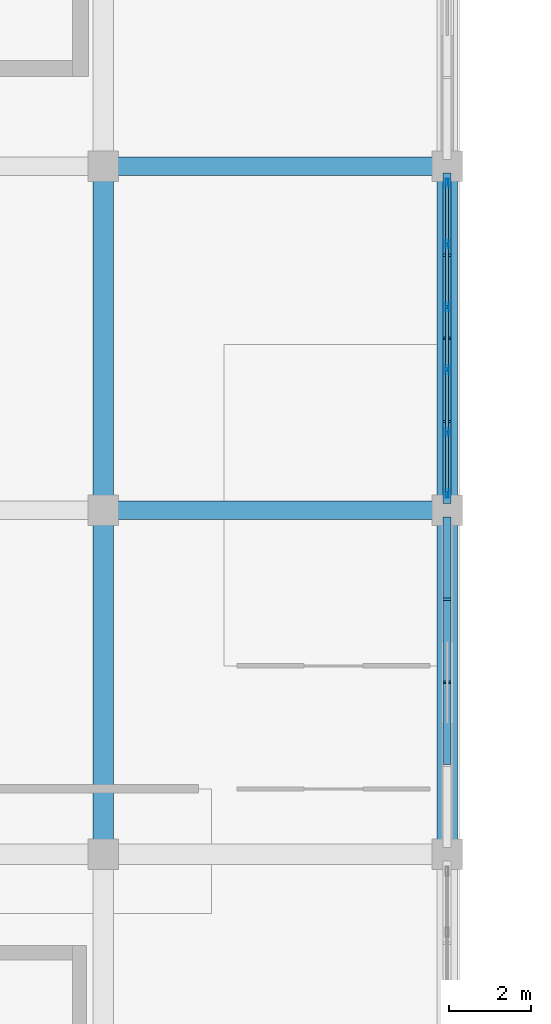
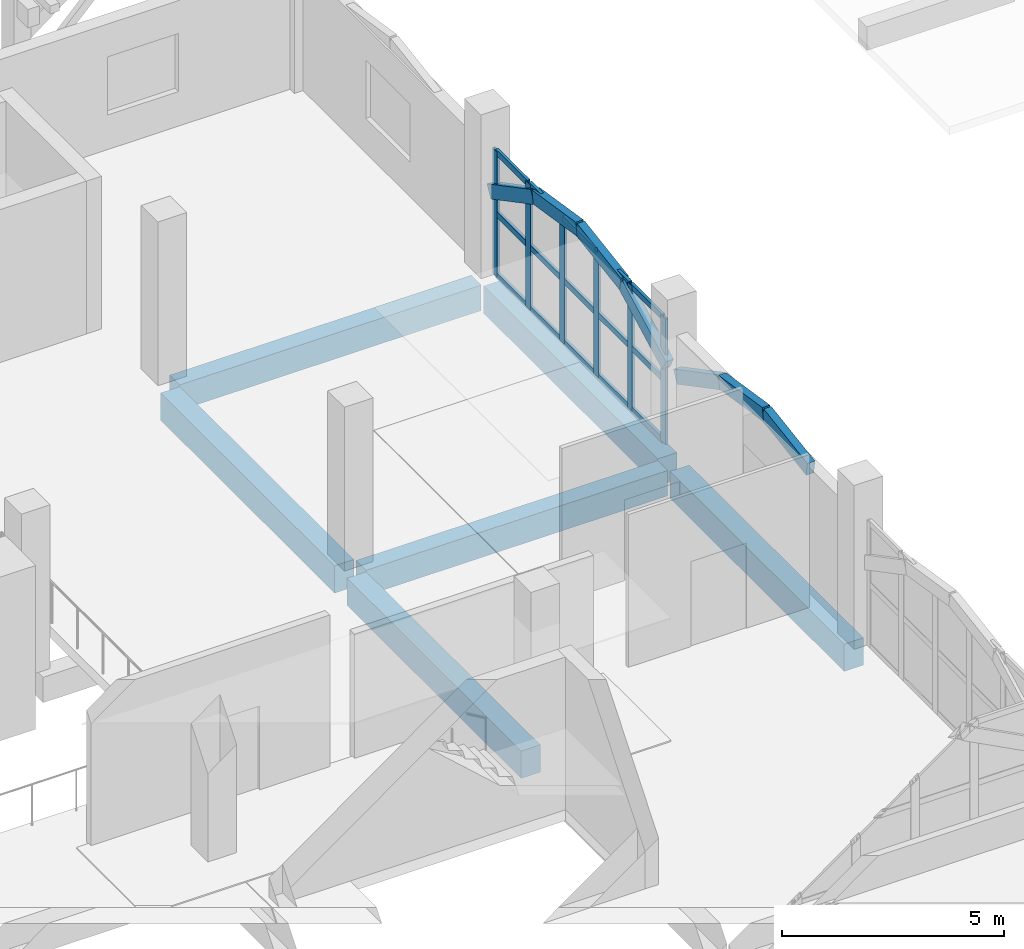
# One storey, part 14 of 30: 28 members, 6 beams, 1 element without a shape of its own.
"""IFC4 building model written with IfcOpenShell, lengths in metres."""

from ifc_helpers import new_model, si_unit, direction, frame, origin, origin_2d, place, context, subcontext, project, spatial, rectangle, hollow_rectangle, extrude, material, layer, layer_set, material_profile, profile_set, type_object, element, aggregate, save


model = new_model("IFC4")

# Units and contexts
model_context = context("Model", 3, precision=1e-05, world=origin(), true_north=direction((0.0, 1.0)))
body_context = subcontext(model_context, "Body", "Model", "MODEL_VIEW")
ifc_project = project(units=[si_unit("LENGTHUNIT", "METRE"), si_unit("AREAUNIT", "SQUARE_METRE"), si_unit("VOLUMEUNIT", "CUBIC_METRE"), si_unit("PLANEANGLEUNIT", "RADIAN"), si_unit("MASSUNIT", "GRAM", prefix="KILO")], contexts=[model_context])

# Site, building, storey
site_placement = place(None, origin())
site = spatial("IfcSite", under=ifc_project, at=site_placement, CompositionType="ELEMENT")
building_placement = place(site_placement, origin())
building = spatial("IfcBuilding", under=site, at=building_placement, Name="Xazarin Passage Department Store", CompositionType="ELEMENT")
storey_placement = place(building_placement, frame((0.0, 0.0, 23.39990234375)))
storey = spatial("IfcBuildingStorey", under=building, at=storey_placement, Name="L05", CompositionType="ELEMENT", Elevation=23.39990234375)

# Curtain wall, members
ifc_material_1 = material(Name="Bronze anodised aluminium", Category="aluminium")
ifc_layer = layer(ifc_material_1, 0.199951171875)
ifc_layer_set = layer_set([ifc_layer], Name="Bronze anodised aluminium")
curtain_wall_type = type_object("IfcCurtainWallType", Name="ARC-CW-VIT2", PredefinedType="NOTDEFINED", material=ifc_layer_set)
curtain_wall_placement = place(storey_placement, origin())
curtain_wall = element("IfcCurtainWall", 1, at=curtain_wall_placement, inside=storey, type_object=curtain_wall_type, Name="L05 V1 Curtain Wall 084", PredefinedType="NOTDEFINED")
ifc_material_profile_1 = material_profile(ifc_material_1, hollow_rectangle(XDim=0.074951171875, YDim=0.219970703125, WallThickness=0.0048828125, at=origin_2d()), Name="ALU 75x220")
ifc_profile_set_1 = profile_set([ifc_material_profile_1], Name="Bronze anodised aluminium")
member_type_1 = type_object("IfcMemberType", Name="ARC-CWM-75x220", PredefinedType="MULLION", material=ifc_profile_set_1)
member_1_placement = place(storey_placement, frame((42.0, 93.612548828125, 0.0), z_axis=(0.0, 0.0, 1.0), x_axis=(-1.0, 0.0, 0.0)))
member_1 = element("IfcMember", 2, at=member_1_placement, type_object=member_type_1, Name="CW2 mullion 1", PredefinedType="MULLION", context=body_context, shape_type="SweptSolid", body=[
    extrude(hollow_rectangle(XDim=0.074951171875, YDim=0.219970703125, WallThickness=0.0048828125, at=origin_2d()), origin(), (0.0, 0.0, 1.0), 3.4501953125),
])
member_2_placement = place(storey_placement, frame((42.0, 95.10498046875, 0.0), z_axis=(0.0, 0.0, 1.0), x_axis=(-1.0, 0.0, 0.0)))
member_2 = element("IfcMember", 3, at=member_2_placement, type_object=member_type_1, Name="CW2 mullion 2", PredefinedType="MULLION", context=body_context, shape_type="SweptSolid", body=[
    extrude(hollow_rectangle(XDim=0.074951171875, YDim=0.219970703125, WallThickness=0.0048828125, at=origin_2d()), origin(), (0.0, 0.0, 1.0), 3.4501953125),
])
member_3_placement = place(storey_placement, frame((42.0, 96.635009765625, 0.0), z_axis=(0.0, 0.0, 1.0), x_axis=(-1.0, 0.0, 0.0)))
member_3 = element("IfcMember", 4, at=member_3_placement, type_object=member_type_1, Name="CW2 mullion 3", PredefinedType="MULLION", context=body_context, shape_type="SweptSolid", body=[
    extrude(hollow_rectangle(XDim=0.074951171875, YDim=0.219970703125, WallThickness=0.0048828125, at=origin_2d()), origin(), (0.0, 0.0, 1.0), 3.4501953125),
])
member_4_placement = place(storey_placement, frame((42.0, 98.1650390625, 0.0), z_axis=(0.0, 0.0, 1.0), x_axis=(-1.0, 0.0, 0.0)))
member_4 = element("IfcMember", 5, at=member_4_placement, type_object=member_type_1, Name="CW2 mullion 4", PredefinedType="MULLION", context=body_context, shape_type="SweptSolid", body=[
    extrude(hollow_rectangle(XDim=0.074951171875, YDim=0.219970703125, WallThickness=0.0048828125, at=origin_2d()), origin(), (0.0, 0.0, 1.0), 3.4501953125),
])
member_5_placement = place(storey_placement, frame((42.0, 99.695068359375, 0.0), z_axis=(0.0, 0.0, 1.0), x_axis=(-1.0, 0.0, 0.0)))
member_5 = element("IfcMember", 6, at=member_5_placement, type_object=member_type_1, Name="CW2 mullion 5", PredefinedType="MULLION", context=body_context, shape_type="SweptSolid", body=[
    extrude(hollow_rectangle(XDim=0.074951171875, YDim=0.219970703125, WallThickness=0.0048828125, at=origin_2d()), origin(), (0.0, 0.0, 1.0), 3.4501953125),
])
member_6_placement = place(storey_placement, frame((42.0, 101.1875, 0.0), z_axis=(0.0, 0.0, 1.0), x_axis=(-1.0, 0.0, 0.0)))
member_6 = element("IfcMember", 7, at=member_6_placement, type_object=member_type_1, Name="CW2 mullion 6", PredefinedType="MULLION", context=body_context, shape_type="SweptSolid", body=[
    extrude(hollow_rectangle(XDim=0.074951171875, YDim=0.219970703125, WallThickness=0.0048828125, at=origin_2d()), origin(), (0.0, 0.0, 1.0), 3.4501953125),
])
ifc_material_profile_2 = material_profile(ifc_material_1, hollow_rectangle(XDim=0.074951171875, YDim=0.159912109375, WallThickness=0.00439453125, at=origin_2d()), Name="ALU 75x160")
ifc_profile_set_2 = profile_set([ifc_material_profile_2], Name="Bronze anodised aluminium")
member_type_2 = type_object("IfcMemberType", Name="ARC-CWT-75x160", PredefinedType="USERDEFINED", material=ifc_profile_set_2)
member_7_placement = place(storey_placement, frame((42.0, 93.64990234375, 0.03759765625), z_axis=(0.0, 1.0, 0.0), x_axis=(-1.0, 0.0, 0.0)))
member_7 = element("IfcMember", 8, at=member_7_placement, type_object=member_type_2, Name="CW2 transom 1.1", ObjectType="TRANSOM", PredefinedType="USERDEFINED", context=body_context, shape_type="SweptSolid", body=[
    extrude(hollow_rectangle(XDim=0.074951171875, YDim=0.159912109375, WallThickness=0.00439453125, at=origin_2d()), origin(), (0.0, 0.0, 1.0), 1.41748046875),
])
member_8_placement = place(storey_placement, frame((42.0, 93.64990234375, 1.72509765625), z_axis=(0.0, 1.0, 0.0), x_axis=(-1.0, 0.0, 0.0)))
member_8 = element("IfcMember", 9, at=member_8_placement, type_object=member_type_2, Name="CW2 transom 1.2", ObjectType="TRANSOM", PredefinedType="USERDEFINED", context=body_context, shape_type="SweptSolid", body=[
    extrude(hollow_rectangle(XDim=0.074951171875, YDim=0.159912109375, WallThickness=0.00439453125, at=origin_2d()), origin(), (0.0, 0.0, 1.0), 1.41748046875),
])
member_9_placement = place(storey_placement, frame((42.0, 93.64990234375, 3.41259765625), z_axis=(0.0, 1.0, 0.0), x_axis=(-1.0, 0.0, 0.0)))
member_9 = element("IfcMember", 10, at=member_9_placement, type_object=member_type_2, Name="CW2 transom 1.3", ObjectType="TRANSOM", PredefinedType="USERDEFINED", context=body_context, shape_type="SweptSolid", body=[
    extrude(hollow_rectangle(XDim=0.074951171875, YDim=0.159912109375, WallThickness=0.00439453125, at=origin_2d()), origin(), (0.0, 0.0, 1.0), 1.41748046875),
])
member_10_placement = place(storey_placement, frame((42.0, 95.142578125, 0.03759765625), z_axis=(0.0, 1.0, 0.0), x_axis=(-1.0, 0.0, 0.0)))
member_10 = element("IfcMember", 11, at=member_10_placement, type_object=member_type_2, Name="CW2 transom 2.1", ObjectType="TRANSOM", PredefinedType="USERDEFINED", context=body_context, shape_type="SweptSolid", body=[
    extrude(hollow_rectangle(XDim=0.074951171875, YDim=0.159912109375, WallThickness=0.00439453125, at=origin_2d()), origin(), (0.0, 0.0, 1.0), 1.454833984375),
])
member_11_placement = place(storey_placement, frame((42.0, 95.142578125, 1.72509765625), z_axis=(0.0, 1.0, 0.0), x_axis=(-1.0, 0.0, 0.0)))
member_11 = element("IfcMember", 12, at=member_11_placement, type_object=member_type_2, Name="CW2 transom 2.2", ObjectType="TRANSOM", PredefinedType="USERDEFINED", context=body_context, shape_type="SweptSolid", body=[
    extrude(hollow_rectangle(XDim=0.074951171875, YDim=0.159912109375, WallThickness=0.00439453125, at=origin_2d()), origin(), (0.0, 0.0, 1.0), 1.454833984375),
])
member_12_placement = place(storey_placement, frame((42.0, 95.142578125, 3.41259765625), z_axis=(0.0, 1.0, 0.0), x_axis=(-1.0, 0.0, 0.0)))
member_12 = element("IfcMember", 13, at=member_12_placement, type_object=member_type_2, Name="CW2 transom 2.3", ObjectType="TRANSOM", PredefinedType="USERDEFINED", context=body_context, shape_type="SweptSolid", body=[
    extrude(hollow_rectangle(XDim=0.074951171875, YDim=0.159912109375, WallThickness=0.00439453125, at=origin_2d()), origin(), (0.0, 0.0, 1.0), 1.454833984375),
])
member_13_placement = place(storey_placement, frame((42.0, 96.672607421875, 0.03759765625), z_axis=(0.0, 1.0, 0.0), x_axis=(-1.0, 0.0, 0.0)))
member_13 = element("IfcMember", 14, at=member_13_placement, type_object=member_type_2, Name="CW2 transom 3.1", ObjectType="TRANSOM", PredefinedType="USERDEFINED", context=body_context, shape_type="SweptSolid", body=[
    extrude(hollow_rectangle(XDim=0.074951171875, YDim=0.159912109375, WallThickness=0.00439453125, at=origin_2d()), origin(), (0.0, 0.0, 1.0), 1.454833984375),
])
member_14_placement = place(storey_placement, frame((42.0, 96.672607421875, 1.72509765625), z_axis=(0.0, 1.0, 0.0), x_axis=(-1.0, 0.0, 0.0)))
member_14 = element("IfcMember", 15, at=member_14_placement, type_object=member_type_2, Name="CW2 transom 3.2", ObjectType="TRANSOM", PredefinedType="USERDEFINED", context=body_context, shape_type="SweptSolid", body=[
    extrude(hollow_rectangle(XDim=0.074951171875, YDim=0.159912109375, WallThickness=0.00439453125, at=origin_2d()), origin(), (0.0, 0.0, 1.0), 1.454833984375),
])
member_15_placement = place(storey_placement, frame((42.0, 96.672607421875, 3.41259765625), z_axis=(0.0, 1.0, 0.0), x_axis=(-1.0, 0.0, 0.0)))
member_15 = element("IfcMember", 16, at=member_15_placement, type_object=member_type_2, Name="CW2 transom 3.3", ObjectType="TRANSOM", PredefinedType="USERDEFINED", context=body_context, shape_type="SweptSolid", body=[
    extrude(hollow_rectangle(XDim=0.074951171875, YDim=0.159912109375, WallThickness=0.00439453125, at=origin_2d()), origin(), (0.0, 0.0, 1.0), 1.454833984375),
])
member_16_placement = place(storey_placement, frame((42.0, 98.202392578125, 0.03759765625), z_axis=(0.0, 1.0, 0.0), x_axis=(-1.0, 0.0, 0.0)))
member_16 = element("IfcMember", 17, at=member_16_placement, type_object=member_type_2, Name="CW2 transom 4.1", ObjectType="TRANSOM", PredefinedType="USERDEFINED", context=body_context, shape_type="SweptSolid", body=[
    extrude(hollow_rectangle(XDim=0.074951171875, YDim=0.159912109375, WallThickness=0.00439453125, at=origin_2d()), origin(), (0.0, 0.0, 1.0), 1.455078125),
])
member_17_placement = place(storey_placement, frame((42.0, 98.202392578125, 1.72509765625), z_axis=(0.0, 1.0, 0.0), x_axis=(-1.0, 0.0, 0.0)))
member_17 = element("IfcMember", 18, at=member_17_placement, type_object=member_type_2, Name="CW2 transom 4.2", ObjectType="TRANSOM", PredefinedType="USERDEFINED", context=body_context, shape_type="SweptSolid", body=[
    extrude(hollow_rectangle(XDim=0.074951171875, YDim=0.159912109375, WallThickness=0.00439453125, at=origin_2d()), origin(), (0.0, 0.0, 1.0), 1.455078125),
])
member_18_placement = place(storey_placement, frame((42.0, 98.202392578125, 3.41259765625), z_axis=(0.0, 1.0, 0.0), x_axis=(-1.0, 0.0, 0.0)))
member_18 = element("IfcMember", 19, at=member_18_placement, type_object=member_type_2, Name="CW2 transom 4.3", ObjectType="TRANSOM", PredefinedType="USERDEFINED", context=body_context, shape_type="SweptSolid", body=[
    extrude(hollow_rectangle(XDim=0.074951171875, YDim=0.159912109375, WallThickness=0.00439453125, at=origin_2d()), origin(), (0.0, 0.0, 1.0), 1.455078125),
])
member_19_placement = place(storey_placement, frame((42.0, 99.732421875, 0.03759765625), z_axis=(0.0, 1.0, 0.0), x_axis=(-1.0, 0.0, 0.0)))
member_19 = element("IfcMember", 20, at=member_19_placement, type_object=member_type_2, Name="CW2 transom 5.1", ObjectType="TRANSOM", PredefinedType="USERDEFINED", context=body_context, shape_type="SweptSolid", body=[
    extrude(hollow_rectangle(XDim=0.074951171875, YDim=0.159912109375, WallThickness=0.00439453125, at=origin_2d()), origin(), (0.0, 0.0, 1.0), 1.41748046875),
])
member_20_placement = place(storey_placement, frame((42.0, 99.732421875, 1.72509765625), z_axis=(0.0, 1.0, 0.0), x_axis=(-1.0, 0.0, 0.0)))
member_20 = element("IfcMember", 21, at=member_20_placement, type_object=member_type_2, Name="CW2 transom 5.2", ObjectType="TRANSOM", PredefinedType="USERDEFINED", context=body_context, shape_type="SweptSolid", body=[
    extrude(hollow_rectangle(XDim=0.074951171875, YDim=0.159912109375, WallThickness=0.00439453125, at=origin_2d()), origin(), (0.0, 0.0, 1.0), 1.41748046875),
])
member_21_placement = place(storey_placement, frame((42.0, 99.732421875, 3.41259765625), z_axis=(0.0, 1.0, 0.0), x_axis=(-1.0, 0.0, 0.0)))
member_21 = element("IfcMember", 22, at=member_21_placement, type_object=member_type_2, Name="CW2 transom 5.3", ObjectType="TRANSOM", PredefinedType="USERDEFINED", context=body_context, shape_type="SweptSolid", body=[
    extrude(hollow_rectangle(XDim=0.074951171875, YDim=0.159912109375, WallThickness=0.00439453125, at=origin_2d()), origin(), (0.0, 0.0, 1.0), 1.41748046875),
])
aggregate(curtain_wall, [member_1, member_2, member_3, member_4, member_5, member_6, member_7, member_8, member_9, member_10, member_11, member_12, member_13, member_14, member_15, member_16, member_17, member_18, member_19, member_20, member_21])

# Beams
ifc_material_2 = material(Name="Concrete C35/45", Category="concrete")
ifc_material_profile_3 = material_profile(ifc_material_2, rectangle(XDim=0.449951171875, YDim=0.699951171875, at=origin_2d()), Name="RC 450x700")
ifc_profile_set_3 = profile_set([ifc_material_profile_3], Name="Concrete C35/45")
beam_type_1 = type_object("IfcBeamType", Name="STR-BM-G450x700", PredefinedType="BEAM", material=ifc_profile_set_3)
for number, where, z_axis, x_axis, name in (
    (23, (33.8798828125, 93.199951171875, -0.64990234375), (1.0, 0.0, 0.0), (0.0, 1.0, 0.0), "L05 Grid Beam N/5-6"),
    (24, (33.8798828125, 101.60009765625, -0.64990234375), (1.0, 0.0, 0.0), (0.0, 1.0, 0.0), "L05 Grid Beam P/5-6"),
):
    element("IfcBeam", number, at=place(storey_placement, frame(where, z_axis=z_axis, x_axis=x_axis)), inside=storey, type_object=beam_type_1, Name=name, PredefinedType="BEAM", context=body_context, shape_type="SweptSolid", body=[
        extrude(rectangle(XDim=0.449951171875, YDim=0.699951171875, at=origin_2d()), origin(), (0.0, 0.0, 1.0), 7.840087890625),
    ])
ifc_material_profile_4 = material_profile(ifc_material_2, rectangle(XDim=0.5, YDim=0.75, at=origin_2d()), Name="RC 500x750")
ifc_profile_set_4 = profile_set([ifc_material_profile_4], Name="Concrete C35/45")
beam_type_2 = type_object("IfcBeamType", Name="STR-BM-SP500x750", PredefinedType="SPANDREL", material=ifc_profile_set_4)
beam_1_placement = place(storey_placement, frame((33.60009765625, 85.080078125, -0.6748046875), z_axis=(0.0, 1.0, 0.0), x_axis=(-1.0, 0.0, 0.0)))
element("IfcBeam", 25, at=beam_1_placement, inside=storey, type_object=beam_type_2, Name="L05 Grid Beam 5/M-N", PredefinedType="SPANDREL", context=body_context, shape_type="SweptSolid", body=[
    extrude(rectangle(XDim=0.5, YDim=0.75, at=origin_2d()), origin(), (0.0, 0.0, 1.0), 7.83984375),
])
beam_2_placement = place(storey_placement, frame((33.60009765625, 93.47998046875, -0.6748046875), z_axis=(0.0, 1.0, 0.0), x_axis=(-1.0, 0.0, 0.0)))
element("IfcBeam", 26, at=beam_2_placement, inside=storey, type_object=beam_type_2, Name="L05 Grid Beam 5/N-P", PredefinedType="SPANDREL", context=body_context, shape_type="SweptSolid", body=[
    extrude(rectangle(XDim=0.5, YDim=0.75, at=origin_2d()), origin(), (0.0, 0.0, 1.0), 7.840087890625),
])
beam_3_placement = place(storey_placement, frame((42.0, 85.080078125, -0.6748046875), z_axis=(0.0, 1.0, 0.0), x_axis=(-1.0, 0.0, 0.0)))
element("IfcBeam", 27, at=beam_3_placement, inside=storey, type_object=beam_type_2, Name="L05 Grid Beam 6/M-N", PredefinedType="SPANDREL", context=body_context, shape_type="SweptSolid", body=[
    extrude(rectangle(XDim=0.5, YDim=0.75, at=origin_2d()), origin(), (0.0, 0.0, 1.0), 7.83984375),
])
beam_4_placement = place(storey_placement, frame((42.0, 93.47998046875, -0.6748046875), z_axis=(0.0, 1.0, 0.0), x_axis=(-1.0, 0.0, 0.0)))
element("IfcBeam", 28, at=beam_4_placement, inside=storey, type_object=beam_type_2, Name="L05 Grid Beam 6/N-P", PredefinedType="SPANDREL", context=body_context, shape_type="SweptSolid", body=[
    extrude(rectangle(XDim=0.5, YDim=0.75, at=origin_2d()), origin(), (0.0, 0.0, 1.0), 7.840087890625),
])

# Members
ifc_material_3 = material(Name="Concrete C40/50", Category="concrete")
ifc_material_profile_5 = material_profile(ifc_material_3, rectangle(XDim=0.199951171875, YDim=0.360107421875, at=origin_2d()), Name="RC 200x360")
ifc_profile_set_5 = profile_set([ifc_material_profile_5], Name="Concrete C40/50")
member_type_3 = type_object("IfcMemberType", Name="STR-MEM-ARC360", PredefinedType="CHORD", material=ifc_profile_set_5)
for number, where, z_axis, x_axis, name in (
    (29, (42.0, 87.02490234375, 3.2705078125), (0.0, 0.987938581312, 0.154846244883), (-1.0, 0.0, 0.0), "L05 V1 Upper Setback Pierced Arch 034.2"),
    (30, (42.0, 89.0, 3.580078125), (0.0, 0.987938581312, -0.154846244883), (-1.0, 0.0, 0.0), "L05 V1 Upper Setback Pierced Arch 034.3"),
):
    element("IfcMember", number, at=place(storey_placement, frame(where, z_axis=z_axis, x_axis=x_axis)), inside=storey, type_object=member_type_3, Name=name, PredefinedType="CHORD", context=body_context, shape_type="SweptSolid", body=[
        extrude(rectangle(XDim=0.199951171875, YDim=0.360107421875, at=origin_2d()), origin(), (0.0, 0.0, 1.0), 1.999267578125),
    ])
member_22_placement = place(storey_placement, frame((42.0, 90.97509765625, 3.2705078125), z_axis=(0.0, 0.884709354127, -0.466143066793), x_axis=(-1.0, 0.0, 0.0)))
element("IfcMember", 31, at=member_22_placement, inside=storey, type_object=member_type_3, Name="L05 V1 Upper Setback Pierced Arch 034.4", PredefinedType="CHORD", context=body_context, shape_type="SweptSolid", body=[
    extrude(rectangle(XDim=0.199951171875, YDim=0.360107421875, at=origin_2d()), origin(), (0.0, 0.0, 1.0), 2.232177734375),
])
member_23_placement = place(storey_placement, frame((42.0, 93.449951171875, 2.22998046875), z_axis=(0.0, 0.88473311603, 0.466097965454), x_axis=(-1.0, 0.0, 0.0)))
element("IfcMember", 32, at=member_23_placement, inside=storey, type_object=member_type_3, Name="L05 V1 Upper Setback Pierced Arch 035.1", PredefinedType="CHORD", context=body_context, shape_type="SweptSolid", body=[
    extrude(rectangle(XDim=0.199951171875, YDim=0.360107421875, at=origin_2d()), origin(), (0.0, 0.0, 1.0), 2.232421875),
])
member_24_placement = place(storey_placement, frame((42.0, 95.425048828125, 3.2705078125), z_axis=(0.0, 0.987935652704, 0.154864928623), x_axis=(-1.0, 0.0, 0.0)))
element("IfcMember", 33, at=member_24_placement, inside=storey, type_object=member_type_3, Name="L05 V1 Upper Setback Pierced Arch 035.2", PredefinedType="CHORD", context=body_context, shape_type="SweptSolid", body=[
    extrude(rectangle(XDim=0.199951171875, YDim=0.360107421875, at=origin_2d()), origin(), (0.0, 0.0, 1.0), 1.9990234375),
])
member_25_placement = place(storey_placement, frame((42.0, 97.39990234375, 3.580078125), z_axis=(0.0, 0.987938581312, -0.154846244883), x_axis=(-1.0, 0.0, 0.0)))
element("IfcMember", 34, at=member_25_placement, inside=storey, type_object=member_type_3, Name="L05 V1 Upper Setback Pierced Arch 035.3", PredefinedType="CHORD", context=body_context, shape_type="SweptSolid", body=[
    extrude(rectangle(XDim=0.199951171875, YDim=0.360107421875, at=origin_2d()), origin(), (0.0, 0.0, 1.0), 1.999267578125),
])
member_26_placement = place(storey_placement, frame((42.0, 99.375, 3.2705078125), z_axis=(0.0, 0.88473311603, -0.466097965454), x_axis=(-1.0, 0.0, 0.0)))
element("IfcMember", 35, at=member_26_placement, inside=storey, type_object=member_type_3, Name="L05 V1 Upper Setback Pierced Arch 035.4", PredefinedType="CHORD", context=body_context, shape_type="SweptSolid", body=[
    extrude(rectangle(XDim=0.199951171875, YDim=0.360107421875, at=origin_2d()), origin(), (0.0, 0.0, 1.0), 2.232421875),
])

save(model, "model.ifc")
